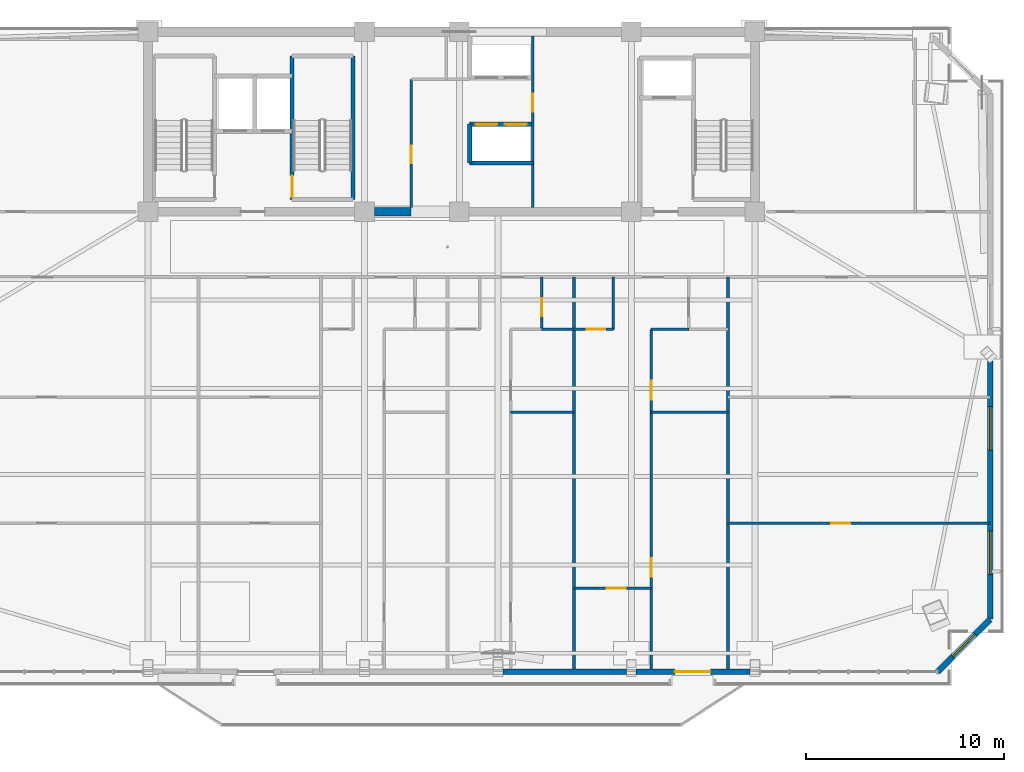
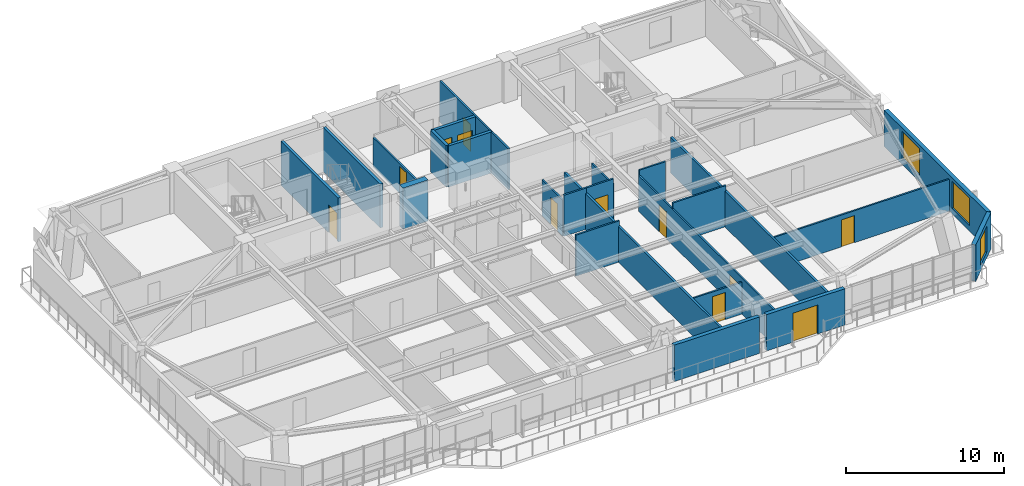
# One storey, part 10 of 18: 24 walls, 12 doors, 3 windows, 15 openings.
"""IFC4 building model written with IfcOpenShell, lengths in metres."""

import ifcopenshell
import ifcopenshell.guid

model = None  # the IFC model being written
_history = None  # IfcOwnerHistory: only IFC2X3 demands one
_inside = {}  # id of a spatial element -> (the spatial element, [elements in it])
_under = {}  # id of a project, library or spatial element -> (it, [spatial elements below it])
_declared = {}  # id of a project -> (the project, [libraries it declares])
_typed = {}  # id of a type object -> (the type object, [elements of that type])
_made_of = {}  # id of a material, layer set ... -> (it, [elements and type objects made of it])


def new_model(schema):
    """Start an empty IFC model of exactly this schema.

    Asked for "IFC4X3", IfcOpenShell would pick the latest addendum, in which some entities
    have other attributes; the version numbers below select the first issue.
    IFC2X3 requires an IfcOwnerHistory on every rooted entity: one is made here for all.
    """
    global model, _history
    if schema == "IFC4X3":
        model = ifcopenshell.file(schema_version=(4, 3, 0, 0))
    else:
        model = ifcopenshell.file(schema=schema)
    _inside.clear()
    _under.clear()
    _declared.clear()
    _typed.clear()
    _made_of.clear()
    _history = None
    if model.schema == "IFC2X3":
        org = make("IfcOrganization", Name="unknown")
        user = make(
            "IfcPersonAndOrganization",
            ThePerson=make("IfcPerson", FamilyName="unknown"),
            TheOrganization=org,
        )
        app = make(
            "IfcApplication",
            ApplicationDeveloper=org,
            Version="unknown",
            ApplicationFullName="unknown",
            ApplicationIdentifier="unknown",
        )
        _history = make(
            "IfcOwnerHistory",
            OwningUser=user,
            OwningApplication=app,
            ChangeAction="ADDED",
            CreationDate=0,
        )
    return model


def make(cls, **values):
    """One entity of the class cls with the attributes given. An attribute that is None is left unset."""
    return model.create_entity(
        cls, **{name: value for name, value in values.items() if value is not None}
    )


def rooted(cls, **values):
    """An entity with a GlobalId (a new one), such as an element, a storey or a relation."""
    return make(cls, GlobalId=ifcopenshell.guid.new(), OwnerHistory=_history, **values)


def si_unit(unit_type, name, prefix=None):
    """IfcSIUnit, for example si_unit("LENGTHUNIT", "METRE", prefix="MILLI")."""
    return make("IfcSIUnit", UnitType=unit_type, Prefix=prefix, Name=name)


def assignment(units):
    """IfcUnitAssignment: the units of a project."""
    return None if units is None else make("IfcUnitAssignment", Units=units)


def point(xyz):
    """IfcCartesianPoint."""
    return None if xyz is None else make("IfcCartesianPoint", Coordinates=xyz)


def direction(xyz):
    """IfcDirection."""
    return None if xyz is None else make("IfcDirection", DirectionRatios=xyz)


def frame(location, z_axis=None, x_axis=None):
    """IfcAxis2Placement3D, a coordinate frame: its origin and axes. An axis left out is left unset."""
    return make(
        "IfcAxis2Placement3D",
        Location=point(location),
        Axis=direction(z_axis),
        RefDirection=direction(x_axis),
    )


def frame_2d(location, x_axis=None):
    """IfcAxis2Placement2D, a coordinate frame in the plane: its origin and x axis."""
    return make(
        "IfcAxis2Placement2D", Location=point(location), RefDirection=direction(x_axis)
    )


def origin():
    """The frame at (0, 0, 0) with its axes left unset."""
    return frame((0.0, 0.0, 0.0))


def place(relative_to, where):
    """IfcLocalPlacement: puts the frame where relative to a parent placement (None: the world)."""
    return make(
        "IfcLocalPlacement", PlacementRelTo=relative_to, RelativePlacement=where
    )


def context(
    kind, dimensions, precision=None, world=None, true_north=None, identifier=None
):
    """IfcGeometricRepresentationContext, for example the 3D "Model" context."""
    return make(
        "IfcGeometricRepresentationContext",
        ContextIdentifier=identifier,
        ContextType=kind,
        CoordinateSpaceDimension=dimensions,
        Precision=precision,
        WorldCoordinateSystem=world,
        TrueNorth=true_north,
    )


def subcontext(parent, identifier, kind, view, scale=None):
    """IfcGeometricRepresentationSubContext, for example "Body" below "Model"."""
    return make(
        "IfcGeometricRepresentationSubContext",
        ContextIdentifier=identifier,
        ContextType=kind,
        ParentContext=parent,
        TargetScale=scale,
        TargetView=view,
    )


def project(units=None, contexts=None):
    """IfcProject with its units and contexts."""
    return rooted(
        "IfcProject",
        Name="project",
        RepresentationContexts=contexts,
        UnitsInContext=assignment(units),
    )


def spatial(cls, under=None, at=None, **own):
    """A site, building, storey or space (cls), placed at a placement, below another one or the project."""
    s = rooted(cls, ObjectPlacement=at, **own)
    if under is not None:
        _under.setdefault(under.id(), (under, []))[1].append(s)
    return s


def profile(cls, at=None, kind="AREA", **sizes):
    """A parametric profile (cls). Its sizes go by their IFC names, for example OverallWidth=200.0."""
    return make(cls, ProfileType=kind, Position=at, **sizes)


def rectangle(**sizes):
    """IfcRectangleProfileDef."""
    return profile("IfcRectangleProfileDef", **sizes)


def extrude(swept, where, along, depth):
    """IfcExtrudedAreaSolid: the profile swept, set in the frame where, extruded along a direction by depth."""
    return make(
        "IfcExtrudedAreaSolid",
        SweptArea=swept,
        Position=where,
        ExtrudedDirection=direction(along),
        Depth=depth,
    )


def shape(context_of_items, identifier, shape_type, items):
    """IfcShapeRepresentation: the items that make up one representation, for example the "Body"."""
    return make(
        "IfcShapeRepresentation",
        ContextOfItems=context_of_items,
        RepresentationIdentifier=identifier,
        RepresentationType=shape_type,
        Items=items,
    )


def source(mapping_origin, context_of_items, identifier, shape_type, items):
    """IfcRepresentationMap: a shape defined once, which mapped items show again and again."""
    return make(
        "IfcRepresentationMap",
        MappingOrigin=mapping_origin,
        MappedRepresentation=shape(context_of_items, identifier, shape_type, items),
    )


def transform(
    local_origin,
    x_axis=None,
    y_axis=None,
    z_axis=None,
    scale=None,
    scale2=None,
    scale3=None,
    uniform=True,
):
    """IfcCartesianTransformationOperator3D, or its non-uniform kind. x_axis, y_axis, z_axis: its Axis1, 2, 3."""
    if uniform:
        return make(
            "IfcCartesianTransformationOperator3D",
            Axis1=direction(x_axis),
            Axis2=direction(y_axis),
            LocalOrigin=point(local_origin),
            Scale=scale,
            Axis3=direction(z_axis),
        )
    return make(
        "IfcCartesianTransformationOperator3DnonUniform",
        Axis1=direction(x_axis),
        Axis2=direction(y_axis),
        LocalOrigin=point(local_origin),
        Scale=scale,
        Axis3=direction(z_axis),
        Scale2=scale2,
        Scale3=scale3,
    )


def mapped(mapping_source, mapping_target):
    """IfcMappedItem: shows the shape of a source again, moved by a transform."""
    return make(
        "IfcMappedItem", MappingSource=mapping_source, MappingTarget=mapping_target
    )


def material(Name=None, Category=None):
    """IfcMaterial."""
    return make("IfcMaterial", Name=Name, Category=Category)


def layer(
    of_material, thickness, ventilated=None, Name=None, Category=None, Priority=None
):
    """IfcMaterialLayer: one layer of a wall or slab, of a material (None: an air gap)."""
    return make(
        "IfcMaterialLayer",
        Material=of_material,
        LayerThickness=thickness,
        IsVentilated=ventilated,
        Name=Name,
        Category=Category,
        Priority=Priority,
    )


def layer_set(layers, Name=None):
    """IfcMaterialLayerSet."""
    return make("IfcMaterialLayerSet", MaterialLayers=layers, LayerSetName=Name)


def made_of(thing, what):
    """Note that an element or type object is made of a material, layer set ...; save() writes the relation."""
    if what is not None:
        _made_of.setdefault(what.id(), (what, []))[1].append(thing)
    return thing


def type_object(cls, material=None, **own):
    """A type object (cls), such as IfcWallType, which elements share."""
    return made_of(rooted(cls, **own), material)


def element(
    cls,
    number,
    at=None,
    inside=None,
    cuts=None,
    type_object=None,
    material=None,
    context=None,
    identifier="Body",
    shape_type=None,
    held_by="IfcProductDefinitionShape",
    body=None,
    shapes=None,
    **own,
):
    """One element of the class cls, such as IfcWall. Its Tag is "e" and its number.

    at: its placement. inside: the storey or other place that contains it. cuts: it is an
    opening in that element (IfcRelVoidsElement). A single representation is given by context,
    identifier, shape_type and body (its items); several are given by shapes. held_by: the class
    of the entity that holds the representations. save() writes the other relations.
    """
    e = rooted(cls, Tag="e%d" % number, ObjectPlacement=at, **own)
    if body is not None:
        shapes = [shape(context, identifier, shape_type, body)]
    if shapes is not None:
        e.Representation = make(held_by, Representations=shapes)
    if inside is not None:
        _inside.setdefault(inside.id(), (inside, []))[1].append(e)
    if cuts is not None:
        rooted(
            "IfcRelVoidsElement", RelatingBuildingElement=cuts, RelatedOpeningElement=e
        )
    if type_object is not None:
        _typed.setdefault(type_object.id(), (type_object, []))[1].append(e)
    return made_of(e, material)


def fill(opening, filler):
    """IfcRelFillsElement: the door or window that sits in an opening."""
    return rooted(
        "IfcRelFillsElement",
        RelatingOpeningElement=opening,
        RelatedBuildingElement=filler,
    )


def aggregate(whole, parts):
    """IfcRelAggregates: a whole, such as a stair, and the parts it consists of."""
    return rooted("IfcRelAggregates", RelatingObject=whole, RelatedObjects=parts)


def save(model, path):
    """Write the relations noted so far, then the file.

    IfcRelAggregates (storeys below a building ...), IfcRelContainedInSpatialStructure (elements
    in a storey), IfcRelDefinesByType, IfcRelAssociatesMaterial and IfcRelDeclares: one each for
    every whole, place, type object, material and project.
    """
    for whole, parts in _under.values():
        aggregate(whole, parts)
    for where, things in _inside.values():
        rooted(
            "IfcRelContainedInSpatialStructure",
            RelatedElements=things,
            RelatingStructure=where,
        )
    for kind, things in _typed.values():
        rooted("IfcRelDefinesByType", RelatedObjects=things, RelatingType=kind)
    for what, things in _made_of.values():
        rooted("IfcRelAssociatesMaterial", RelatedObjects=things, RelatingMaterial=what)
    for by, libraries in _declared.values():
        rooted("IfcRelDeclares", RelatingContext=by, RelatedDefinitions=libraries)
    model.write(path)


model = new_model("IFC4")

# Units and contexts
model_context = context("Model", 3, precision=1e-05, world=origin(), true_north=direction((0.0, 1.0)))
body_context = subcontext(model_context, "Body", "Model", "MODEL_VIEW")
ifc_project = project(units=[si_unit("LENGTHUNIT", "METRE"), si_unit("AREAUNIT", "SQUARE_METRE"), si_unit("VOLUMEUNIT", "CUBIC_METRE"), si_unit("PLANEANGLEUNIT", "RADIAN"), si_unit("MASSUNIT", "GRAM", prefix="KILO")], contexts=[model_context])

# Site, building, storey
site_placement = place(None, origin())
site = spatial("IfcSite", under=ifc_project, at=site_placement, CompositionType="ELEMENT")
building_placement = place(site_placement, origin())
building = spatial("IfcBuilding", under=site, at=building_placement, Name="Giltprow Tower", CompositionType="ELEMENT")
storey_placement = place(building_placement, frame((0.0, 0.0, 245.10009765625)))
storey = spatial("IfcBuildingStorey", under=building, at=storey_placement, Name="L62", CompositionType="ELEMENT", Elevation=245.10009765625)

# Wall, opening, window
ifc_material_1 = material(Name="Precast concrete C40", Category="concrete")
ifc_layer_1 = layer(ifc_material_1, 0.300048828125, Name="Precast concrete C40")
ifc_layer_set_1 = layer_set([ifc_layer_1], Name="Precast concrete C40")
wall_type_1 = type_object("IfcWallType", Name="EW-NOTCH-CHAMFER-300", PredefinedType="SOLIDWALL", material=ifc_layer_set_1)
wall_1_placement = place(storey_placement, frame((59.791015625, 14.181884765625, 0.0), z_axis=(0.0, 0.0, 1.0), x_axis=(0.707074342864, 0.707139218021, 0.0)))
wall_1 = element("IfcWall", 1, at=wall_1_placement, inside=storey, type_object=wall_type_1, Name="L62 Corner Notch Wall SE", PredefinedType="SOLIDWALL", context=body_context, shape_type="SweptSolid", body=[
    extrude(rectangle(XDim=3.76318359375, YDim=0.300048828125, at=frame_2d((1.881591796875, 0.0))), origin(), (0.0, 0.0, 1.0), 2.81494140625),
])
opening_1_placement = place(wall_1_placement, frame((1.08203125, 0.0, 0.449951171875)))
opening_1 = element("IfcOpeningElement", 2, at=opening_1_placement, cuts=wall_1, Name="Opening WN17", PredefinedType="OPENING", context=body_context, shape_type="SweptSolid", body=[
    extrude(rectangle(XDim=1.60009765625, YDim=2.0, at=frame_2d((0.800048828125, 1.0))), frame((0.0, 0.159912109375, 0.0), z_axis=(0.0, -1.0, 0.0), x_axis=(1.0, 0.0, 0.0)), (0.0, 0.0, 1.0), 0.320068359375),
])
ifc_material_2 = material(Name="Insulated glass", Category="glass")
window_type_1 = type_object("IfcWindowType", Name="WN-COR-1600x2000", PartitioningType="SINGLE_PANEL", PredefinedType="WINDOW", material=ifc_material_2)
shared_shape_1 = source(origin(), body_context, "Body", "SweptSolid", [
    extrude(rectangle(XDim=1.60009765625, YDim=2.0, at=frame_2d((0.800048828125, 1.0))), frame((0.0, 0.030029296875, 0.0), z_axis=(0.0, -1.0, 0.0), x_axis=(1.0, 0.0, 0.0)), (0.0, 0.0, 1.0), 0.06005859375),
])
window_1_placement = place(opening_1_placement, origin())
window_1 = element("IfcWindow", 3, at=window_1_placement, inside=storey, type_object=window_type_1, Name="L62 Corner Notch Window SE", OverallHeight=2.0, OverallWidth=1.60009765625, PartitioningType="SINGLE_PANEL", PredefinedType="WINDOW", context=body_context, shape_type="MappedRepresentation", body=[
    mapped(shared_shape_1, transform((0.0, 0.0, 0.0), x_axis=(1.0, 0.0, 0.0), y_axis=(0.0, 1.0, 0.0), z_axis=(0.0, 0.0, 1.0), scale=1.0)),
])
fill(opening_1, window_1)

# Wall
ifc_layer_2 = layer(ifc_material_1, 0.280029296875, Name="Precast concrete C40")
ifc_layer_set_2 = layer_set([ifc_layer_2], Name="Precast concrete C40")
wall_type_2 = type_object("IfcWallType", Name="EW-TOW-BRONZE-280", PredefinedType="SOLIDWALL", material=ifc_layer_set_2)
wall_2_placement = place(storey_placement, frame((37.800048828125, 14.181884765625, 0.0), z_axis=(0.0, 0.0, 1.0), x_axis=(1.0, 0.0, 0.0)))
element("IfcWall", 4, at=wall_2_placement, inside=storey, type_object=wall_type_2, Name="L62 South Expressed Frame Wall 4", PredefinedType="SOLIDWALL", context=body_context, shape_type="SweptSolid", body=[
    extrude(rectangle(XDim=6.25, YDim=0.280029296875, at=frame_2d((3.125, 0.0))), origin(), (0.0, 0.0, 1.0), 2.81494140625),
])

# Wall, opening, door
wall_3_placement = place(storey_placement, frame((44.550048828125, 14.181884765625, 0.0), z_axis=(0.0, 0.0, 1.0), x_axis=(1.0, 0.0, 0.0)))
wall_3 = element("IfcWall", 5, at=wall_3_placement, inside=storey, type_object=wall_type_2, Name="L62 South Expressed Frame Wall 5", PredefinedType="SOLIDWALL", context=body_context, shape_type="SweptSolid", body=[
    extrude(rectangle(XDim=5.75, YDim=0.280029296875, at=frame_2d((2.875, 0.0))), origin(), (0.0, 0.0, 1.0), 2.81494140625),
])
opening_2_placement = place(wall_3_placement, frame((1.949951171875, 0.0, 0.0)))
opening_2 = element("IfcOpeningElement", 6, at=opening_2_placement, cuts=wall_3, Name="Opening ED25", PredefinedType="OPENING", context=body_context, shape_type="SweptSolid", body=[
    extrude(rectangle(XDim=1.800048828125, YDim=2.25, at=frame_2d((0.89990234375, 1.125))), frame((0.0, 0.14990234375, 0.0), z_axis=(0.0, -1.0, 0.0), x_axis=(1.0, 0.0, 0.0)), (0.0, 0.0, 1.0), 0.300048828125),
])
ifc_material_3 = material(Name="Anodized bronze and glass", Category="glass")
door_type_1 = type_object("IfcDoorType", Name="DR-BALC-SLIDE-1800", OperationType="SLIDING_TO_LEFT", PredefinedType="DOOR", material=ifc_material_3)
shared_shape_2 = source(origin(), body_context, "Body", "SweptSolid", [
    extrude(rectangle(XDim=1.800048828125, YDim=2.25, at=frame_2d((0.89990234375, 1.125))), frame((0.0, 0.02490234375, 0.0), z_axis=(0.0, -1.0, 0.0), x_axis=(1.0, 0.0, 0.0)), (0.0, 0.0, 1.0), 0.050048828125),
])
door_1_placement = place(opening_2_placement, origin())
door_1 = element("IfcDoor", 7, at=door_1_placement, inside=storey, type_object=door_type_1, Name="L62 Waterfront Balcony Sliding Door 2", OperationType="SLIDING_TO_LEFT", OverallHeight=2.25, OverallWidth=1.800048828125, PredefinedType="DOOR", context=body_context, shape_type="MappedRepresentation", body=[
    mapped(shared_shape_2, transform((0.0, 0.0, 0.0), x_axis=(1.0, 0.0, 0.0), y_axis=(0.0, 1.0, 0.0), z_axis=(0.0, 0.0, 1.0), scale=1.0)),
])
fill(opening_2, door_1)

# Wall, openings, windows
wall_4_placement = place(storey_placement, frame((62.451904296875, 16.843017578125, 0.0), z_axis=(0.0, 0.0, 1.0), x_axis=(0.0, 1.0, 0.0)))
wall_4 = element("IfcWall", 8, at=wall_4_placement, inside=storey, type_object=wall_type_2, Name="L62 E Wing Masonry Wall 1", PredefinedType="SOLIDWALL", context=body_context, shape_type="SweptSolid", body=[
    extrude(rectangle(XDim=13.048095703125, YDim=0.280029296875, at=frame_2d((6.52392578125, 0.0))), origin(), (0.0, 0.0, 1.0), 2.81494140625),
])
opening_3_placement = place(wall_4_placement, frame((2.2470703125, 0.0, 0.449951171875)))
opening_3 = element("IfcOpeningElement", 9, at=opening_3_placement, cuts=wall_4, Name="Opening WN27", PredefinedType="OPENING", context=body_context, shape_type="SweptSolid", body=[
    extrude(rectangle(XDim=2.199951171875, YDim=2.10009765625, at=frame_2d((1.10009765625, 1.050048828125))), frame((0.0, 0.14990234375, 0.0), z_axis=(0.0, -1.0, 0.0), x_axis=(1.0, 0.0, 0.0)), (0.0, 0.0, 1.0), 0.300048828125),
])
opening_4_placement = place(wall_4_placement, frame((8.555908203125, 0.0, 0.449951171875)))
opening_4 = element("IfcOpeningElement", 10, at=opening_4_placement, cuts=wall_4, Name="Opening WN27", PredefinedType="OPENING", context=body_context, shape_type="SweptSolid", body=[
    extrude(rectangle(XDim=2.199951171875, YDim=2.10009765625, at=frame_2d((1.10009765625, 1.050048828125))), frame((0.0, 0.14990234375, 0.0), z_axis=(0.0, -1.0, 0.0), x_axis=(1.0, 0.0, 0.0)), (0.0, 0.0, 1.0), 0.300048828125),
])
window_type_2 = type_object("IfcWindowType", Name="WN-RES-2200x2100", PartitioningType="TRIPLE_PANEL_VERTICAL", PredefinedType="WINDOW", material=ifc_material_2)
shared_shape_3 = source(origin(), body_context, "Body", "SweptSolid", [
    extrude(rectangle(XDim=2.199951171875, YDim=2.10009765625, at=frame_2d((1.10009765625, 1.050048828125))), frame((0.0, 0.030029296875, 0.0), z_axis=(0.0, -1.0, 0.0), x_axis=(1.0, 0.0, 0.0)), (0.0, 0.0, 1.0), 0.06005859375),
])
window_2_placement = place(opening_3_placement, origin())
window_2 = element("IfcWindow", 11, at=window_2_placement, inside=storey, type_object=window_type_2, Name="L62 E Wing Window 1-1A", OverallHeight=2.10009765625, OverallWidth=2.199951171875, PartitioningType="SINGLE_PANEL", PredefinedType="WINDOW", context=body_context, shape_type="MappedRepresentation", body=[
    mapped(shared_shape_3, transform((0.0, 0.0, 0.0), x_axis=(1.0, 0.0, 0.0), y_axis=(0.0, 1.0, 0.0), z_axis=(0.0, 0.0, 1.0), scale=1.0)),
])
fill(opening_3, window_2)
window_3_placement = place(opening_4_placement, origin())
window_3 = element("IfcWindow", 12, at=window_3_placement, inside=storey, type_object=window_type_2, Name="L62 E Wing Window 1-1B", OverallHeight=2.10009765625, OverallWidth=2.199951171875, PartitioningType="SINGLE_PANEL", PredefinedType="WINDOW", context=body_context, shape_type="MappedRepresentation", body=[
    mapped(shared_shape_3, transform((0.0, 0.0, 0.0), x_axis=(1.0, 0.0, 0.0), y_axis=(0.0, 1.0, 0.0), z_axis=(0.0, 0.0, 1.0), scale=1.0)),
])
fill(opening_4, window_3)

# Walls
ifc_material_4 = material(Name="Gypsum stud partition", Category="gypsum")
ifc_layer_3 = layer(ifc_material_4, 0.159912109375, Name="Gypsum stud partition")
ifc_layer_set_3 = layer_set([ifc_layer_3], Name="Gypsum stud partition")
wall_type_3 = type_object("IfcWallType", Name="IW-DEMISE-160", PredefinedType="PARTITIONING", material=ifc_layer_set_3)
for number, where, z_axis, x_axis, name in (
    (13, (41.39990234375, 14.181884765625, 0.0), (0.0, 0.0, 1.0), (0.0, 1.0, 0.0), "L62 Apartment Party Wall 4"),
    (14, (49.199951171875, 14.181884765625, 0.0), (0.0, 0.0, 1.0), (0.0, 1.0, 0.0), "L62 Apartment Party Wall 5"),
):
    element("IfcWall", number, at=place(storey_placement, frame(where, z_axis=z_axis, x_axis=x_axis)), inside=storey, type_object=wall_type_3, Name=name, PredefinedType="PARTITIONING", context=body_context, shape_type="SweptSolid", body=[
        extrude(rectangle(XDim=19.968017578125, YDim=0.159912109375, at=frame_2d((9.98388671875, 0.0))), origin(), (0.0, 0.0, 1.0), 2.77001953125),
    ])
ifc_layer_4 = layer(ifc_material_4, 0.1201171875, Name="Gypsum stud partition")
ifc_layer_set_4 = layer_set([ifc_layer_4], Name="Gypsum stud partition")
wall_type_4 = type_object("IfcWallType", Name="IW-ROOM-120", PredefinedType="PARTITIONING", material=ifc_layer_set_4)
wall_5_placement = place(storey_placement, frame((38.199951171875, 27.300048828125, 0.0), z_axis=(0.0, 0.0, 1.0), x_axis=(1.0, 0.0, 0.0)))
element("IfcWall", 15, at=wall_5_placement, inside=storey, type_object=wall_type_4, Name="L62 Unit 2 Second Bedroom Wall", PredefinedType="PARTITIONING", context=body_context, shape_type="SweptSolid", body=[
    extrude(rectangle(XDim=3.199951171875, YDim=0.1201171875, at=frame_2d((1.60009765625, 0.0))), origin(), (0.0, 0.0, 1.0), 3.184814453125),
])
wall_6_placement = place(storey_placement, frame((45.300048828125, 31.5, 0.0), z_axis=(0.0, 0.0, 1.0), x_axis=(1.0, 0.0, 0.0)))
element("IfcWall", 16, at=wall_6_placement, inside=storey, type_object=wall_type_4, Name="L62 Unit 3 Bedroom North Wall", PredefinedType="PARTITIONING", context=body_context, shape_type="SweptSolid", body=[
    extrude(rectangle(XDim=1.909912109375, YDim=0.1201171875, at=frame_2d((0.955078125, 0.0))), origin(), (0.0, 0.0, 1.0), 3.184814453125),
])

# Wall, openings, doors
wall_7_placement = place(storey_placement, frame((45.300048828125, 14.181884765625, 0.0), z_axis=(0.0, 0.0, 1.0), x_axis=(0.0, 1.0, 0.0)))
wall_7 = element("IfcWall", 17, at=wall_7_placement, inside=storey, type_object=wall_type_4, Name="L62 Unit 3 Bedroom Wall", PredefinedType="PARTITIONING", context=body_context, shape_type="SweptSolid", body=[
    extrude(rectangle(XDim=17.318115234375, YDim=0.1201171875, at=frame_2d((8.6591796875, 0.0))), origin(), (0.0, 0.0, 1.0), 2.77001953125),
])
opening_5_placement = place(wall_7_placement, frame((4.801025390625, 0.0, 0.0)))
opening_5 = element("IfcOpeningElement", 18, at=opening_5_placement, cuts=wall_7, Name="Opening ID11", PredefinedType="OPENING", context=body_context, shape_type="SweptSolid", body=[
    extrude(rectangle(XDim=0.949951171875, YDim=2.10009765625, at=frame_2d((0.47509765625, 1.050048828125))), frame((0.0, 0.070068359375, 0.0), z_axis=(0.0, -1.0, 0.0), x_axis=(1.0, 0.0, 0.0)), (0.0, 0.0, 1.0), 0.14013671875),
])
opening_6_placement = place(wall_7_placement, frame((13.758056640625, 0.0, 0.0)))
opening_6 = element("IfcOpeningElement", 19, at=opening_6_placement, cuts=wall_7, Name="Opening ID11", PredefinedType="OPENING", context=body_context, shape_type="SweptSolid", body=[
    extrude(rectangle(XDim=0.949951171875, YDim=2.10009765625, at=frame_2d((0.47509765625, 1.050048828125))), frame((0.0, 0.070068359375, 0.0), z_axis=(0.0, -1.0, 0.0), x_axis=(1.0, 0.0, 0.0)), (0.0, 0.0, 1.0), 0.14013671875),
])
ifc_material_5 = material(Name="Engineered timber", Category="wood")
door_type_2 = type_object("IfcDoorType", Name="DR-ROOM-950", OperationType="SINGLE_SWING_RIGHT", PredefinedType="DOOR", material=ifc_material_5)
shared_shape_4 = source(origin(), body_context, "Body", "SweptSolid", [
    extrude(rectangle(XDim=0.949951171875, YDim=2.10009765625, at=frame_2d((0.47509765625, 1.050048828125))), frame((0.0, 0.02490234375, 0.0), z_axis=(0.0, -1.0, 0.0), x_axis=(1.0, 0.0, 0.0)), (0.0, 0.0, 1.0), 0.050048828125),
])
door_2_placement = place(opening_5_placement, origin())
door_2 = element("IfcDoor", 20, at=door_2_placement, inside=storey, type_object=door_type_2, Name="L62 Unit 3 Primary Bedroom Door", OperationType="SINGLE_SWING_RIGHT", OverallHeight=2.10009765625, OverallWidth=0.949951171875, PredefinedType="DOOR", context=body_context, shape_type="MappedRepresentation", body=[
    mapped(shared_shape_4, transform((0.0, 0.0, 0.0), x_axis=(1.0, 0.0, 0.0), y_axis=(0.0, 1.0, 0.0), z_axis=(0.0, 0.0, 1.0), scale=1.0)),
])
fill(opening_5, door_2)
door_3_placement = place(opening_6_placement, origin())
door_3 = element("IfcDoor", 21, at=door_3_placement, inside=storey, type_object=door_type_2, Name="L62 Unit 3 Second Bedroom Door", OperationType="SINGLE_SWING_LEFT", OverallHeight=2.10009765625, OverallWidth=0.949951171875, PredefinedType="DOOR", context=body_context, shape_type="MappedRepresentation", body=[
    mapped(shared_shape_4, transform((0.0, 0.0, 0.0), x_axis=(1.0, 0.0, 0.0), y_axis=(0.0, 1.0, 0.0), z_axis=(0.0, 0.0, 1.0), scale=1.0)),
])
fill(opening_6, door_3)

# Wall, opening, door
wall_8_placement = place(storey_placement, frame((41.39990234375, 18.4130859375, 0.0), z_axis=(0.0, 0.0, 1.0), x_axis=(1.0, 0.0, 0.0)))
wall_8 = element("IfcWall", 22, at=wall_8_placement, inside=storey, type_object=wall_type_4, Name="L62 Unit 3 Salon Divider", PredefinedType="PARTITIONING", context=body_context, shape_type="SweptSolid", body=[
    extrude(rectangle(XDim=3.900146484375, YDim=0.1201171875, at=frame_2d((1.9501953125, 0.0))), origin(), (0.0, 0.0, 1.0), 2.469970703125),
])
opening_7_placement = place(wall_8_placement, frame((1.6650390625, 0.0, 0.0)))
opening_7 = element("IfcOpeningElement", 23, at=opening_7_placement, cuts=wall_8, Name="Opening ID11", PredefinedType="OPENING", context=body_context, shape_type="SweptSolid", body=[
    extrude(rectangle(XDim=0.949951171875, YDim=2.10009765625, at=frame_2d((0.47509765625, 1.050048828125))), frame((0.0, 0.070068359375, 0.0), z_axis=(0.0, -1.0, 0.0), x_axis=(1.0, 0.0, 0.0)), (0.0, 0.0, 1.0), 0.14013671875),
])
door_4_placement = place(opening_7_placement, origin())
door_4 = element("IfcDoor", 24, at=door_4_placement, inside=storey, type_object=door_type_2, Name="L62 Unit 3 Study Door", OperationType="SINGLE_SWING_LEFT", OverallHeight=2.10009765625, OverallWidth=0.949951171875, PredefinedType="DOOR", context=body_context, shape_type="MappedRepresentation", body=[
    mapped(shared_shape_4, transform((0.0, 0.0, 0.0), x_axis=(1.0, 0.0, 0.0), y_axis=(0.0, 1.0, 0.0), z_axis=(0.0, 0.0, 1.0), scale=1.0)),
])
fill(opening_7, door_4)

# Wall
wall_9_placement = place(storey_placement, frame((45.300048828125, 27.300048828125, 0.0), z_axis=(0.0, 0.0, 1.0), x_axis=(1.0, 0.0, 0.0)))
element("IfcWall", 25, at=wall_9_placement, inside=storey, type_object=wall_type_4, Name="L62 Unit 3 Second Bedroom Wall", PredefinedType="PARTITIONING", context=body_context, shape_type="SweptSolid", body=[
    extrude(rectangle(XDim=3.89990234375, YDim=0.1201171875, at=frame_2d((1.949951171875, 0.0))), origin(), (0.0, 0.0, 1.0), 3.184814453125),
])

# Wall, opening, door
wall_10_placement = place(storey_placement, frame((49.199951171875, 21.68994140625, 0.0), z_axis=(0.0, 0.0, 1.0), x_axis=(1.0, 0.0, 0.0)))
wall_10 = element("IfcWall", 26, at=wall_10_placement, inside=storey, type_object=wall_type_4, Name="L62 Special Split 1", PredefinedType="PARTITIONING", context=body_context, shape_type="SweptSolid", body=[
    extrude(rectangle(XDim=13.251953125, YDim=0.1201171875, at=frame_2d((6.6259765625, 0.0))), origin(), (0.0, 0.0, 1.0), 2.469970703125),
])
opening_8_placement = place(wall_10_placement, frame((5.220947265625, 0.0, 0.0)))
opening_8 = element("IfcOpeningElement", 27, at=opening_8_placement, cuts=wall_10, Name="Opening ID11", PredefinedType="OPENING", context=body_context, shape_type="SweptSolid", body=[
    extrude(rectangle(XDim=0.949951171875, YDim=2.10009765625, at=frame_2d((0.47509765625, 1.050048828125))), frame((0.0, 0.070068359375, 0.0), z_axis=(0.0, -1.0, 0.0), x_axis=(1.0, 0.0, 0.0)), (0.0, 0.0, 1.0), 0.14013671875),
])
door_5_placement = place(opening_8_placement, origin())
door_5 = element("IfcDoor", 28, at=door_5_placement, inside=storey, type_object=door_type_2, Name="L62 Portfolio Office 3 South Door", OperationType="SINGLE_SWING_RIGHT", OverallHeight=2.10009765625, OverallWidth=0.949951171875, PredefinedType="DOOR", context=body_context, shape_type="MappedRepresentation", body=[
    mapped(shared_shape_4, transform((0.0, 0.0, 0.0), x_axis=(1.0, 0.0, 0.0), y_axis=(0.0, 1.0, 0.0), z_axis=(0.0, 0.0, 1.0), scale=1.0)),
])
fill(opening_8, door_5)

# Wall, openings, doors
ifc_material_6 = material(Name="Concrete C40", Category="concrete")
ifc_layer_5 = layer(ifc_material_6, 0.219970703125, Name="Concrete C40")
ifc_layer_set_5 = layer_set([ifc_layer_5], Name="Concrete C40")
wall_type_5 = type_object("IfcWallType", Name="IW-SHAFT-220", PredefinedType="SOLIDWALL", material=ifc_layer_set_5)
wall_11_placement = place(storey_placement, frame((36.1201171875, 41.8798828125, 0.0), z_axis=(0.0, 0.0, 1.0), x_axis=(1.0, 0.0, 0.0)))
wall_11 = element("IfcWall", 29, at=wall_11_placement, inside=storey, type_object=wall_type_5, Name="L62 High-Rise Lift Shaft Front Wall S", PredefinedType="SOLIDWALL", context=body_context, shape_type="SweptSolid", body=[
    extrude(rectangle(XDim=3.199951171875, YDim=0.219970703125, at=frame_2d((1.60009765625, 0.0))), origin(), (0.0, 0.0, 1.0), 3.184814453125),
])
opening_9_placement = place(wall_11_placement, frame((0.300048828125, 0.0, 0.0)))
opening_9 = element("IfcOpeningElement", 30, at=opening_9_placement, cuts=wall_11, Name="Opening LD-11", PredefinedType="OPENING", context=body_context, shape_type="SweptSolid", body=[
    extrude(rectangle(XDim=1.10009765625, YDim=2.199951171875, at=frame_2d((0.550048828125, 1.10009765625))), frame((0.0, 0.119873046875, 0.0), z_axis=(0.0, -1.0, 0.0), x_axis=(1.0, 0.0, 0.0)), (0.0, 0.0, 1.0), 0.239990234375),
])
opening_10_placement = place(wall_11_placement, frame((1.7900390625, 0.0, 0.0)))
opening_10 = element("IfcOpeningElement", 31, at=opening_10_placement, cuts=wall_11, Name="Opening LD-11", PredefinedType="OPENING", context=body_context, shape_type="SweptSolid", body=[
    extrude(rectangle(XDim=1.10009765625, YDim=2.199951171875, at=frame_2d((0.550048828125, 1.10009765625))), frame((0.0, 0.119873046875, 0.0), z_axis=(0.0, -1.0, 0.0), x_axis=(1.0, 0.0, 0.0)), (0.0, 0.0, 1.0), 0.239990234375),
])
ifc_material_7 = material(Name="Stainless steel", Category="steel")
door_type_3 = type_object("IfcDoorType", Name="DR-LIFT-LD1100", OperationType="SLIDING_TO_LEFT", PredefinedType="DOOR", material=ifc_material_7)
shared_shape_5 = source(origin(), body_context, "Body", "SweptSolid", [
    extrude(rectangle(XDim=1.10009765625, YDim=2.199951171875, at=frame_2d((0.550048828125, 1.10009765625))), frame((0.0, 0.02490234375, 0.0), z_axis=(0.0, -1.0, 0.0), x_axis=(1.0, 0.0, 0.0)), (0.0, 0.0, 1.0), 0.050048828125),
])
door_6_placement = place(opening_9_placement, origin())
door_6 = element("IfcDoor", 32, at=door_6_placement, inside=storey, type_object=door_type_3, Name="L62 PL-H3 Landing Door", OperationType="SLIDING_TO_LEFT", OverallHeight=2.199951171875, OverallWidth=1.10009765625, PredefinedType="DOOR", context=body_context, shape_type="MappedRepresentation", body=[
    mapped(shared_shape_5, transform((0.0, 0.0, 0.0), x_axis=(1.0, 0.0, 0.0), y_axis=(0.0, 1.0, 0.0), z_axis=(0.0, 0.0, 1.0), scale=1.0)),
])
fill(opening_9, door_6)
door_7_placement = place(opening_10_placement, origin())
door_7 = element("IfcDoor", 33, at=door_7_placement, inside=storey, type_object=door_type_3, Name="L62 PL-H4 Landing Door", OperationType="SLIDING_TO_LEFT", OverallHeight=2.199951171875, OverallWidth=1.10009765625, PredefinedType="DOOR", context=body_context, shape_type="MappedRepresentation", body=[
    mapped(shared_shape_5, transform((0.0, 0.0, 0.0), x_axis=(1.0, 0.0, 0.0), y_axis=(0.0, 1.0, 0.0), z_axis=(0.0, 0.0, 1.0), scale=1.0)),
])
fill(opening_10, door_7)

# Walls
wall_12_placement = place(storey_placement, frame((36.1201171875, 39.919921875, 0.0), z_axis=(0.0, 0.0, 1.0), x_axis=(1.0, 0.0, 0.0)))
element("IfcWall", 34, at=wall_12_placement, inside=storey, type_object=wall_type_5, Name="L62 High-Rise South Lift Back Wall", PredefinedType="SOLIDWALL", context=body_context, shape_type="SweptSolid", body=[
    extrude(rectangle(XDim=3.199951171875, YDim=0.219970703125, at=frame_2d((1.60009765625, 0.0))), origin(), (0.0, 0.0, 1.0), 3.184814453125),
])
wall_13_placement = place(storey_placement, frame((36.1201171875, 39.919921875, 0.0), z_axis=(0.0, 0.0, 1.0), x_axis=(0.0, 1.0, 0.0)))
element("IfcWall", 35, at=wall_13_placement, inside=storey, type_object=wall_type_5, Name="L62 High-Rise South Lift West Closure", PredefinedType="SOLIDWALL", context=body_context, shape_type="SweptSolid", body=[
    extrude(rectangle(XDim=1.9599609375, YDim=0.219970703125, at=frame_2d((0.97998046875, 0.0))), origin(), (0.0, 0.0, 1.0), 3.184814453125),
])

# Wall, opening, door
ifc_layer_6 = layer(ifc_material_6, 0.199951171875, Name="Concrete C40")
ifc_layer_set_6 = layer_set([ifc_layer_6], Name="Concrete C40")
wall_type_6 = type_object("IfcWallType", Name="IW-STAIR-200", PredefinedType="SOLIDWALL", material=ifc_layer_set_6)
wall_14_placement = place(storey_placement, frame((27.139892578125, 38.070068359375, 0.0), z_axis=(0.0, 0.0, 1.0), x_axis=(0.0, 1.0, 0.0)))
wall_14 = element("IfcWall", 36, at=wall_14_placement, inside=storey, type_object=wall_type_6, Name="L62 Stair ST-2 West Bearing Wall", PredefinedType="SOLIDWALL", context=body_context, shape_type="SweptSolid", body=[
    extrude(rectangle(XDim=7.25, YDim=0.199951171875, at=frame_2d((3.625, 0.0))), origin(), (0.0, 0.0, 1.0), 3.39990234375),
])
opening_11_placement = place(wall_14_placement, frame((0.110107421875, 0.0, 0.0)))
opening_11 = element("IfcOpeningElement", 37, at=opening_11_placement, cuts=wall_14, Name="Opening ID33", PredefinedType="OPENING", context=body_context, shape_type="SweptSolid", body=[
    extrude(rectangle(XDim=1.10009765625, YDim=2.14990234375, at=frame_2d((0.550048828125, 1.074951171875))), frame((0.0, 0.10986328125, 0.0), z_axis=(0.0, -1.0, 0.0), x_axis=(1.0, 0.0, 0.0)), (0.0, 0.0, 1.0), 0.219970703125),
])
ifc_material_8 = material(Name="Steel fire leaf", Category="steel")
door_type_4 = type_object("IfcDoorType", Name="DR-STAIR-1100", OperationType="SINGLE_SWING_LEFT", PredefinedType="DOOR", material=ifc_material_8)
shared_shape_6 = source(origin(), body_context, "Body", "SweptSolid", [
    extrude(rectangle(XDim=1.10009765625, YDim=2.14990234375, at=frame_2d((0.550048828125, 1.074951171875))), frame((0.0, 0.02490234375, 0.0), z_axis=(0.0, -1.0, 0.0), x_axis=(1.0, 0.0, 0.0)), (0.0, 0.0, 1.0), 0.050048828125),
])
door_8_placement = place(opening_11_placement, origin())
door_8 = element("IfcDoor", 38, at=door_8_placement, inside=storey, type_object=door_type_4, Name="L62 Stair ST-2 Fire Door", OperationType="SINGLE_SWING_RIGHT", OverallHeight=2.14990234375, OverallWidth=1.10009765625, PredefinedType="DOOR", context=body_context, shape_type="MappedRepresentation", body=[
    mapped(shared_shape_6, transform((0.0, 0.0, 0.0), x_axis=(1.0, 0.0, 0.0), y_axis=(0.0, 1.0, 0.0), z_axis=(0.0, 0.0, 1.0), scale=1.0)),
])
fill(opening_11, door_8)

# Wall
wall_15_placement = place(storey_placement, frame((30.219970703125, 38.070068359375, 0.0), z_axis=(0.0, 0.0, 1.0), x_axis=(0.0, 1.0, 0.0)))
element("IfcWall", 39, at=wall_15_placement, inside=storey, type_object=wall_type_6, Name="L62 Stair ST-2 East Bearing Wall", PredefinedType="SOLIDWALL", context=body_context, shape_type="SweptSolid", body=[
    extrude(rectangle(XDim=7.25, YDim=0.199951171875, at=frame_2d((3.625, 0.0))), origin(), (0.0, 0.0, 1.0), 3.39990234375),
])

# Wall, opening, door
ifc_material_9 = material(Name="Concrete C30", Category="concrete")
ifc_layer_7 = layer(ifc_material_9, 0.1298828125, Name="Concrete C30")
ifc_layer_set_7 = layer_set([ifc_layer_7], Name="Concrete C30")
wall_type_7 = type_object("IfcWallType", Name="IW-WET-130", PredefinedType="PARTITIONING", material=ifc_layer_set_7)
wall_16_placement = place(storey_placement, frame((33.179931640625, 37.655029296875, 0.0), z_axis=(0.0, 0.0, 1.0), x_axis=(0.0, 1.0, 0.0)))
wall_16 = element("IfcWall", 40, at=wall_16_placement, inside=storey, type_object=wall_type_7, Name="L62 Reclaimed West Core Wall", PredefinedType="PARTITIONING", context=body_context, shape_type="SweptSolid", body=[
    extrude(rectangle(XDim=6.494873046875, YDim=0.1298828125, at=frame_2d((3.24755859375, 0.0))), origin(), (0.0, 0.0, 1.0), 2.27001953125),
])
opening_12_placement = place(wall_16_placement, frame((2.2451171875, 0.0, 0.0)))
opening_12 = element("IfcOpeningElement", 41, at=opening_12_placement, cuts=wall_16, Name="Opening ID35", PredefinedType="OPENING", context=body_context, shape_type="SweptSolid", body=[
    extrude(rectangle(XDim=0.89990234375, YDim=2.10009765625, at=frame_2d((0.449951171875, 1.050048828125))), frame((0.0, 0.074951171875, 0.0), z_axis=(0.0, -1.0, 0.0), x_axis=(1.0, 0.0, 0.0)), (0.0, 0.0, 1.0), 0.14990234375),
])
door_type_5 = type_object("IfcDoorType", Name="DR-SHAFT-900", OperationType="SINGLE_SWING_LEFT", PredefinedType="DOOR", material=ifc_material_8)
shared_shape_7 = source(origin(), body_context, "Body", "SweptSolid", [
    extrude(rectangle(XDim=0.89990234375, YDim=2.10009765625, at=frame_2d((0.449951171875, 1.050048828125))), frame((0.0, 0.02490234375, 0.0), z_axis=(0.0, -1.0, 0.0), x_axis=(1.0, 0.0, 0.0)), (0.0, 0.0, 1.0), 0.050048828125),
])
door_9_placement = place(opening_12_placement, origin())
door_9 = element("IfcDoor", 42, at=door_9_placement, inside=storey, type_object=door_type_5, Name="L62 Core Accessible Washroom Door", OperationType="SINGLE_SWING_RIGHT", OverallHeight=2.10009765625, OverallWidth=0.89990234375, PredefinedType="DOOR", context=body_context, shape_type="MappedRepresentation", body=[
    mapped(shared_shape_7, transform((0.0, 0.0, 0.0), x_axis=(1.0, 0.0, 0.0), y_axis=(0.0, 1.0, 0.0), z_axis=(0.0, 0.0, 1.0), scale=1.0)),
])
fill(opening_12, door_9)

wall_17_placement = place(storey_placement, frame((39.320068359375, 37.655029296875, 0.0), z_axis=(0.0, 0.0, 1.0), x_axis=(0.0, 1.0, 0.0)))
wall_17 = element("IfcWall", 43, at=wall_17_placement, inside=storey, type_object=wall_type_7, Name="L62 Reclaimed East Core Wall", PredefinedType="PARTITIONING", context=body_context, shape_type="SweptSolid", body=[
    extrude(rectangle(XDim=8.68994140625, YDim=0.1298828125, at=frame_2d((4.344970703125, 0.0))), origin(), (0.0, 0.0, 1.0), 3.184814453125),
])
opening_13_placement = place(wall_17_placement, frame((4.864990234375, 0.0, 0.0)))
opening_13 = element("IfcOpeningElement", 44, at=opening_13_placement, cuts=wall_17, Name="Opening ID35", PredefinedType="OPENING", context=body_context, shape_type="SweptSolid", body=[
    extrude(rectangle(XDim=0.89990234375, YDim=2.10009765625, at=frame_2d((0.449951171875, 1.050048828125))), frame((0.0, 0.074951171875, 0.0), z_axis=(0.0, -1.0, 0.0), x_axis=(1.0, 0.0, 0.0)), (0.0, 0.0, 1.0), 0.14990234375),
])
door_10_placement = place(opening_13_placement, origin())
door_10 = element("IfcDoor", 45, at=door_10_placement, inside=storey, type_object=door_type_5, Name="L62 Core Concierge Parcel Store Door", OperationType="SINGLE_SWING_LEFT", OverallHeight=2.10009765625, OverallWidth=0.89990234375, PredefinedType="DOOR", context=body_context, shape_type="MappedRepresentation", body=[
    mapped(shared_shape_7, transform((0.0, 0.0, 0.0), x_axis=(1.0, 0.0, 0.0), y_axis=(0.0, 1.0, 0.0), z_axis=(0.0, 0.0, 1.0), scale=1.0)),
])
fill(opening_13, door_10)

# Wall
wall_18_placement = place(storey_placement, frame((39.760009765625, 31.5, 0.0), z_axis=(0.0, 0.0, 1.0), x_axis=(1.0, 0.0, 0.0)))
element("IfcWall", 46, at=wall_18_placement, inside=storey, type_object=wall_type_7, Name="L62 Unit 2 Bathroom South Wall", PredefinedType="PARTITIONING", context=body_context, shape_type="SweptSolid", body=[
    extrude(rectangle(XDim=1.639892578125, YDim=0.1298828125, at=frame_2d((0.81982421875, 0.0))), origin(), (0.0, 0.0, 1.0), 3.184814453125),
])

# Wall, opening, door
wall_19_placement = place(storey_placement, frame((39.760009765625, 31.5, 0.0), z_axis=(0.0, 0.0, 1.0), x_axis=(0.0, 1.0, 0.0)))
wall_19 = element("IfcWall", 47, at=wall_19_placement, inside=storey, type_object=wall_type_7, Name="L62 Unit 2 Bathroom West Wall", PredefinedType="PARTITIONING", context=body_context, shape_type="SweptSolid", body=[
    extrude(rectangle(XDim=2.64990234375, YDim=0.1298828125, at=frame_2d((1.324951171875, 0.0))), origin(), (0.0, 0.0, 1.0), 2.77001953125),
])
opening_14_placement = place(wall_19_placement, frame((0.669921875, 0.0, 0.0)))
opening_14 = element("IfcOpeningElement", 48, at=opening_14_placement, cuts=wall_19, Name="Opening ID15", PredefinedType="OPENING", context=body_context, shape_type="SweptSolid", body=[
    extrude(rectangle(XDim=0.89990234375, YDim=2.10009765625, at=frame_2d((0.449951171875, 1.050048828125))), frame((0.0, 0.074951171875, 0.0), z_axis=(0.0, -1.0, 0.0), x_axis=(1.0, 0.0, 0.0)), (0.0, 0.0, 1.0), 0.14990234375),
])
door_type_6 = type_object("IfcDoorType", Name="DR-WC-900", OperationType="SINGLE_SWING_LEFT", PredefinedType="DOOR", material=ifc_material_5)
door_11_placement = place(opening_14_placement, origin())
door_11 = element("IfcDoor", 49, at=door_11_placement, inside=storey, type_object=door_type_6, Name="L62 Unit 2 Bathroom Door", OperationType="SINGLE_SWING_LEFT", OverallHeight=2.10009765625, OverallWidth=0.89990234375, PredefinedType="DOOR", context=body_context, shape_type="MappedRepresentation", body=[
    mapped(shared_shape_7, transform((0.0, 0.0, 0.0), x_axis=(1.0, 0.0, 0.0), y_axis=(0.0, 1.0, 0.0), z_axis=(0.0, 0.0, 1.0), scale=1.0)),
])
fill(opening_14, door_11)

wall_20_placement = place(storey_placement, frame((41.39990234375, 31.5, 0.0), z_axis=(0.0, 0.0, 1.0), x_axis=(1.0, 0.0, 0.0)))
wall_20 = element("IfcWall", 50, at=wall_20_placement, inside=storey, type_object=wall_type_7, Name="L62 Unit 3 Kitchen South Wall", PredefinedType="PARTITIONING", context=body_context, shape_type="SweptSolid", body=[
    extrude(rectangle(XDim=1.989990234375, YDim=0.1298828125, at=frame_2d((0.9951171875, 0.0))), origin(), (0.0, 0.0, 1.0), 3.184814453125),
])
opening_15_placement = place(wall_20_placement, frame((0.639892578125, 0.0, 0.0)))
opening_15 = element("IfcOpeningElement", 51, at=opening_15_placement, cuts=wall_20, Name="Opening ID11", PredefinedType="OPENING", context=body_context, shape_type="SweptSolid", body=[
    extrude(rectangle(XDim=0.949951171875, YDim=2.10009765625, at=frame_2d((0.47509765625, 1.050048828125))), frame((0.0, 0.074951171875, 0.0), z_axis=(0.0, -1.0, 0.0), x_axis=(1.0, 0.0, 0.0)), (0.0, 0.0, 1.0), 0.14990234375),
])
door_12_placement = place(opening_15_placement, origin())
door_12 = element("IfcDoor", 52, at=door_12_placement, inside=storey, type_object=door_type_2, Name="L62 Unit 3 Kitchen Door", OperationType="SINGLE_SWING_LEFT", OverallHeight=2.10009765625, OverallWidth=0.949951171875, PredefinedType="DOOR", context=body_context, shape_type="MappedRepresentation", body=[
    mapped(shared_shape_4, transform((0.0, 0.0, 0.0), x_axis=(1.0, 0.0, 0.0), y_axis=(0.0, 1.0, 0.0), z_axis=(0.0, 0.0, 1.0), scale=1.0)),
])
fill(opening_15, door_12)

# Walls
wall_21_placement = place(storey_placement, frame((43.389892578125, 31.5, 0.0), z_axis=(0.0, 0.0, 1.0), x_axis=(0.0, 1.0, 0.0)))
element("IfcWall", 53, at=wall_21_placement, inside=storey, type_object=wall_type_7, Name="L62 Unit 3 Kitchen East Wall", PredefinedType="PARTITIONING", context=body_context, shape_type="SweptSolid", body=[
    extrude(rectangle(XDim=2.64990234375, YDim=0.1298828125, at=frame_2d((1.324951171875, 0.0))), origin(), (0.0, 0.0, 1.0), 2.77001953125),
])
ifc_material_10 = material(Name="Concrete C50", Category="concrete")
ifc_layer_8 = layer(ifc_material_10, 0.449951171875, Name="Concrete C50")
ifc_layer_set_8 = layer_set([ifc_layer_8], Name="Concrete C50")
wall_type_8 = type_object("IfcWallType", Name="SW-INT-450-C50", PredefinedType="SHEAR", material=ifc_layer_set_8)
wall_22_placement = place(storey_placement, frame((31.300048828125, 37.449951171875, 0.0), z_axis=(0.0, 0.0, 1.0), x_axis=(1.0, 0.0, 0.0)))
element("IfcWall", 54, at=wall_22_placement, inside=storey, type_object=wall_type_8, Name="L62 South Rear Core Shear Wall Mid-West", PredefinedType="SHEAR", context=body_context, shape_type="SweptSolid", body=[
    extrude(rectangle(XDim=1.849853515625, YDim=0.449951171875, at=frame_2d((0.9248046875, 0.0))), origin(), (0.0, 0.0, 1.0), 3.184814453125),
])

save(model, "model.ifc")
